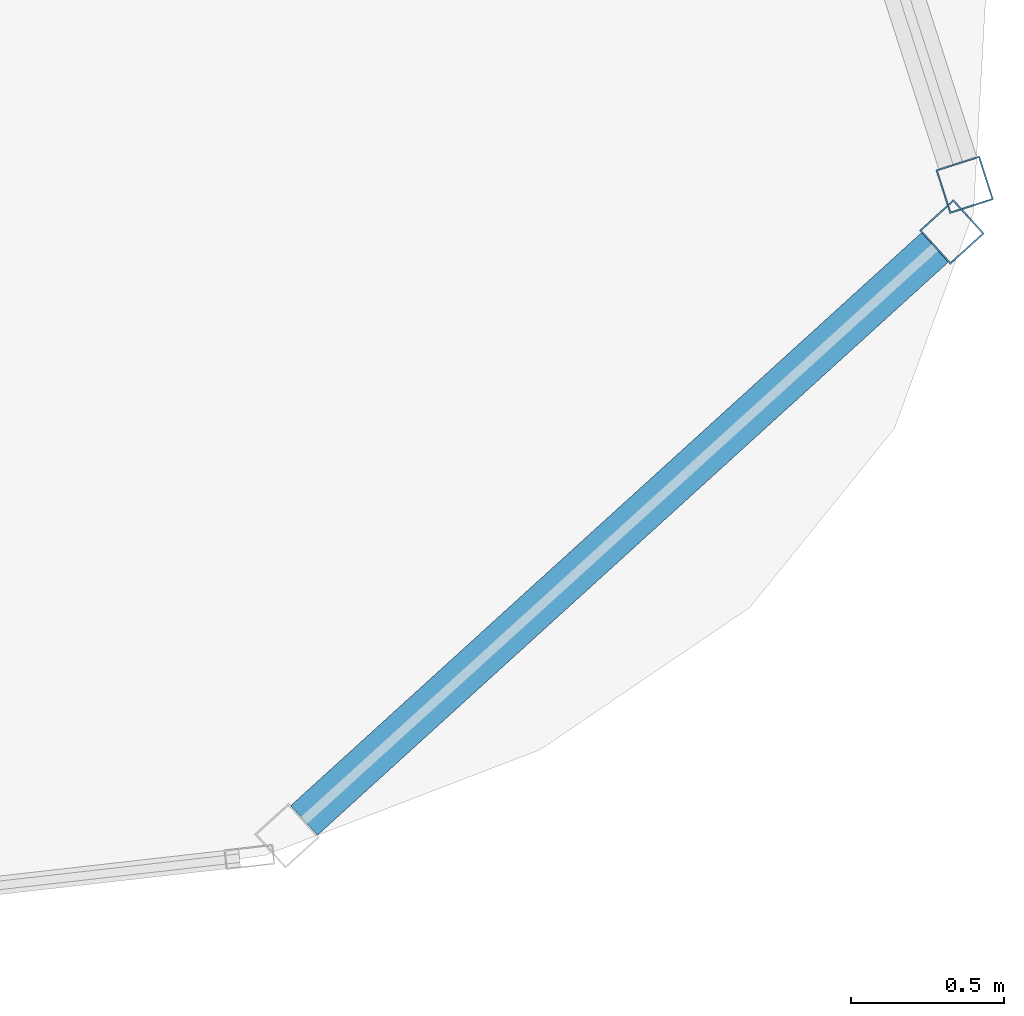
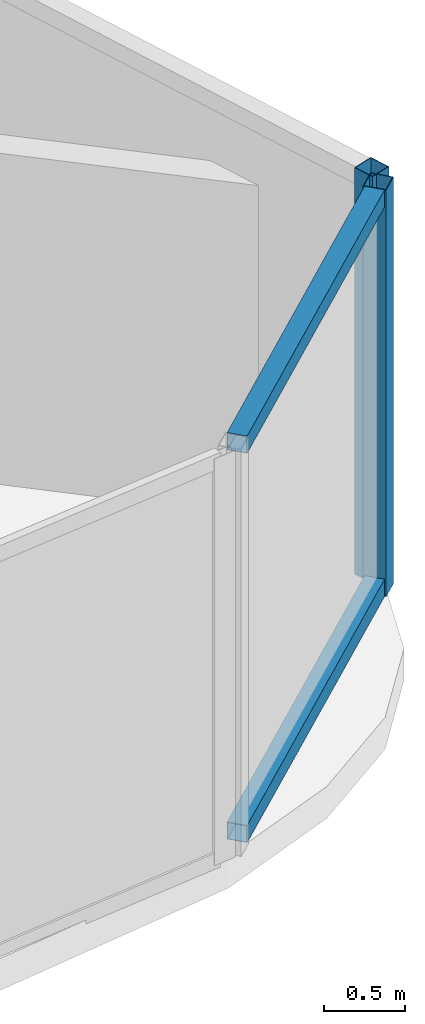
# One storey, part 15 of 30: 4 members, 2 elements without a shape of their own.
"""IFC4 building model written with IfcOpenShell, lengths in metres."""

import ifcopenshell
import ifcopenshell.guid

model = None  # the IFC model being written
_history = None  # IfcOwnerHistory: only IFC2X3 demands one
_inside = {}  # id of a spatial element -> (the spatial element, [elements in it])
_under = {}  # id of a project, library or spatial element -> (it, [spatial elements below it])
_declared = {}  # id of a project -> (the project, [libraries it declares])
_typed = {}  # id of a type object -> (the type object, [elements of that type])
_made_of = {}  # id of a material, layer set ... -> (it, [elements and type objects made of it])


def new_model(schema):
    """Start an empty IFC model of exactly this schema.

    Asked for "IFC4X3", IfcOpenShell would pick the latest addendum, in which some entities
    have other attributes; the version numbers below select the first issue.
    IFC2X3 requires an IfcOwnerHistory on every rooted entity: one is made here for all.
    """
    global model, _history
    if schema == "IFC4X3":
        model = ifcopenshell.file(schema_version=(4, 3, 0, 0))
    else:
        model = ifcopenshell.file(schema=schema)
    _inside.clear()
    _under.clear()
    _declared.clear()
    _typed.clear()
    _made_of.clear()
    _history = None
    if model.schema == "IFC2X3":
        org = make("IfcOrganization", Name="unknown")
        user = make(
            "IfcPersonAndOrganization",
            ThePerson=make("IfcPerson", FamilyName="unknown"),
            TheOrganization=org,
        )
        app = make(
            "IfcApplication",
            ApplicationDeveloper=org,
            Version="unknown",
            ApplicationFullName="unknown",
            ApplicationIdentifier="unknown",
        )
        _history = make(
            "IfcOwnerHistory",
            OwningUser=user,
            OwningApplication=app,
            ChangeAction="ADDED",
            CreationDate=0,
        )
    return model


def make(cls, **values):
    """One entity of the class cls with the attributes given. An attribute that is None is left unset."""
    return model.create_entity(
        cls, **{name: value for name, value in values.items() if value is not None}
    )


def rooted(cls, **values):
    """An entity with a GlobalId (a new one), such as an element, a storey or a relation."""
    return make(cls, GlobalId=ifcopenshell.guid.new(), OwnerHistory=_history, **values)


def si_unit(unit_type, name, prefix=None):
    """IfcSIUnit, for example si_unit("LENGTHUNIT", "METRE", prefix="MILLI")."""
    return make("IfcSIUnit", UnitType=unit_type, Prefix=prefix, Name=name)


def assignment(units):
    """IfcUnitAssignment: the units of a project."""
    return None if units is None else make("IfcUnitAssignment", Units=units)


def point(xyz):
    """IfcCartesianPoint."""
    return None if xyz is None else make("IfcCartesianPoint", Coordinates=xyz)


def direction(xyz):
    """IfcDirection."""
    return None if xyz is None else make("IfcDirection", DirectionRatios=xyz)


def frame(location, z_axis=None, x_axis=None):
    """IfcAxis2Placement3D, a coordinate frame: its origin and axes. An axis left out is left unset."""
    return make(
        "IfcAxis2Placement3D",
        Location=point(location),
        Axis=direction(z_axis),
        RefDirection=direction(x_axis),
    )


def frame_2d(location, x_axis=None):
    """IfcAxis2Placement2D, a coordinate frame in the plane: its origin and x axis."""
    return make(
        "IfcAxis2Placement2D", Location=point(location), RefDirection=direction(x_axis)
    )


def origin():
    """The frame at (0, 0, 0) with its axes left unset."""
    return frame((0.0, 0.0, 0.0))


def origin_2d():
    """The frame at (0, 0) in the plane with its x axis left unset."""
    return frame_2d((0.0, 0.0))


def place(relative_to, where):
    """IfcLocalPlacement: puts the frame where relative to a parent placement (None: the world)."""
    return make(
        "IfcLocalPlacement", PlacementRelTo=relative_to, RelativePlacement=where
    )


def context(
    kind, dimensions, precision=None, world=None, true_north=None, identifier=None
):
    """IfcGeometricRepresentationContext, for example the 3D "Model" context."""
    return make(
        "IfcGeometricRepresentationContext",
        ContextIdentifier=identifier,
        ContextType=kind,
        CoordinateSpaceDimension=dimensions,
        Precision=precision,
        WorldCoordinateSystem=world,
        TrueNorth=true_north,
    )


def subcontext(parent, identifier, kind, view, scale=None):
    """IfcGeometricRepresentationSubContext, for example "Body" below "Model"."""
    return make(
        "IfcGeometricRepresentationSubContext",
        ContextIdentifier=identifier,
        ContextType=kind,
        ParentContext=parent,
        TargetScale=scale,
        TargetView=view,
    )


def project(units=None, contexts=None):
    """IfcProject with its units and contexts."""
    return rooted(
        "IfcProject",
        Name="project",
        RepresentationContexts=contexts,
        UnitsInContext=assignment(units),
    )


def spatial(cls, under=None, at=None, **own):
    """A site, building, storey or space (cls), placed at a placement, below another one or the project."""
    s = rooted(cls, ObjectPlacement=at, **own)
    if under is not None:
        _under.setdefault(under.id(), (under, []))[1].append(s)
    return s


def profile(cls, at=None, kind="AREA", **sizes):
    """A parametric profile (cls). Its sizes go by their IFC names, for example OverallWidth=200.0."""
    return make(cls, ProfileType=kind, Position=at, **sizes)


def hollow_rectangle(**sizes):
    """IfcRectangleHollowProfileDef."""
    return profile("IfcRectangleHollowProfileDef", **sizes)


def extrude(swept, where, along, depth):
    """IfcExtrudedAreaSolid: the profile swept, set in the frame where, extruded along a direction by depth."""
    return make(
        "IfcExtrudedAreaSolid",
        SweptArea=swept,
        Position=where,
        ExtrudedDirection=direction(along),
        Depth=depth,
    )


def shape(context_of_items, identifier, shape_type, items):
    """IfcShapeRepresentation: the items that make up one representation, for example the "Body"."""
    return make(
        "IfcShapeRepresentation",
        ContextOfItems=context_of_items,
        RepresentationIdentifier=identifier,
        RepresentationType=shape_type,
        Items=items,
    )


def material(Name=None, Category=None):
    """IfcMaterial."""
    return make("IfcMaterial", Name=Name, Category=Category)


def layer(
    of_material, thickness, ventilated=None, Name=None, Category=None, Priority=None
):
    """IfcMaterialLayer: one layer of a wall or slab, of a material (None: an air gap)."""
    return make(
        "IfcMaterialLayer",
        Material=of_material,
        LayerThickness=thickness,
        IsVentilated=ventilated,
        Name=Name,
        Category=Category,
        Priority=Priority,
    )


def layer_set(layers, Name=None):
    """IfcMaterialLayerSet."""
    return make("IfcMaterialLayerSet", MaterialLayers=layers, LayerSetName=Name)


def material_profile(
    of_material, cross_section, Name=None, Category=None, Priority=None
):
    """IfcMaterialProfile: a cross section and its material."""
    return make(
        "IfcMaterialProfile",
        Name=Name,
        Material=of_material,
        Profile=cross_section,
        Priority=Priority,
        Category=Category,
    )


def profile_set(profiles, Name=None, composite=None):
    """IfcMaterialProfileSet."""
    return make(
        "IfcMaterialProfileSet",
        Name=Name,
        MaterialProfiles=profiles,
        CompositeProfile=composite,
    )


def made_of(thing, what):
    """Note that an element or type object is made of a material, layer set ...; save() writes the relation."""
    if what is not None:
        _made_of.setdefault(what.id(), (what, []))[1].append(thing)
    return thing


def type_object(cls, material=None, **own):
    """A type object (cls), such as IfcWallType, which elements share."""
    return made_of(rooted(cls, **own), material)


def element(
    cls,
    number,
    at=None,
    inside=None,
    cuts=None,
    type_object=None,
    material=None,
    context=None,
    identifier="Body",
    shape_type=None,
    held_by="IfcProductDefinitionShape",
    body=None,
    shapes=None,
    **own,
):
    """One element of the class cls, such as IfcWall. Its Tag is "e" and its number.

    at: its placement. inside: the storey or other place that contains it. cuts: it is an
    opening in that element (IfcRelVoidsElement). A single representation is given by context,
    identifier, shape_type and body (its items); several are given by shapes. held_by: the class
    of the entity that holds the representations. save() writes the other relations.
    """
    e = rooted(cls, Tag="e%d" % number, ObjectPlacement=at, **own)
    if body is not None:
        shapes = [shape(context, identifier, shape_type, body)]
    if shapes is not None:
        e.Representation = make(held_by, Representations=shapes)
    if inside is not None:
        _inside.setdefault(inside.id(), (inside, []))[1].append(e)
    if cuts is not None:
        rooted(
            "IfcRelVoidsElement", RelatingBuildingElement=cuts, RelatedOpeningElement=e
        )
    if type_object is not None:
        _typed.setdefault(type_object.id(), (type_object, []))[1].append(e)
    return made_of(e, material)


def aggregate(whole, parts):
    """IfcRelAggregates: a whole, such as a stair, and the parts it consists of."""
    return rooted("IfcRelAggregates", RelatingObject=whole, RelatedObjects=parts)


def save(model, path):
    """Write the relations noted so far, then the file.

    IfcRelAggregates (storeys below a building ...), IfcRelContainedInSpatialStructure (elements
    in a storey), IfcRelDefinesByType, IfcRelAssociatesMaterial and IfcRelDeclares: one each for
    every whole, place, type object, material and project.
    """
    for whole, parts in _under.values():
        aggregate(whole, parts)
    for where, things in _inside.values():
        rooted(
            "IfcRelContainedInSpatialStructure",
            RelatedElements=things,
            RelatingStructure=where,
        )
    for kind, things in _typed.values():
        rooted("IfcRelDefinesByType", RelatedObjects=things, RelatingType=kind)
    for what, things in _made_of.values():
        rooted("IfcRelAssociatesMaterial", RelatedObjects=things, RelatingMaterial=what)
    for by, libraries in _declared.values():
        rooted("IfcRelDeclares", RelatingContext=by, RelatedDefinitions=libraries)
    model.write(path)


model = new_model("IFC4")

# Units and contexts
model_context = context("Model", 3, precision=1e-05, world=origin(), true_north=direction((0.0, 1.0)))
body_context = subcontext(model_context, "Body", "Model", "MODEL_VIEW")
ifc_project = project(units=[si_unit("LENGTHUNIT", "METRE"), si_unit("AREAUNIT", "SQUARE_METRE"), si_unit("VOLUMEUNIT", "CUBIC_METRE"), si_unit("PLANEANGLEUNIT", "RADIAN"), si_unit("MASSUNIT", "GRAM", prefix="KILO")], contexts=[model_context])

# Site, building, storey
site_placement = place(None, origin())
site = spatial("IfcSite", under=ifc_project, at=site_placement, CompositionType="ELEMENT")
building_placement = place(site_placement, origin())
building = spatial("IfcBuilding", under=site, at=building_placement, Name="Orvanel Arch Residences", CompositionType="ELEMENT")
storey_placement = place(building_placement, frame((0.0, 0.0, 229.39990234375)))
storey = spatial("IfcBuildingStorey", under=building, at=storey_placement, Name="L65", CompositionType="ELEMENT", Elevation=229.39990234375)

# Curtain wall, member
ifc_material = material(Name="Bronze-anodised aluminium AA6063-T6", Category="aluminium")
ifc_layer = layer(ifc_material, 0.18994140625)
ifc_layer_set = layer_set([ifc_layer], Name="Bronze-anodised aluminium AA6063-T6")
curtain_wall_type = type_object("IfcCurtainWallType", Name="CW5-CRN-SYS", PredefinedType="NOTDEFINED", material=ifc_layer_set)
curtain_wall_1_placement = place(storey_placement, origin())
curtain_wall_1 = element("IfcCurtainWall", 1, at=curtain_wall_1_placement, inside=storey, type_object=curtain_wall_type, Name="L65 CW5-CRN-SYS Unitised Curtain Wall", PredefinedType="NOTDEFINED")
ifc_material_profile_1 = material_profile(ifc_material, hollow_rectangle(XDim=0.14990234375, YDim=0.14990234375, WallThickness=0.0048828125, at=origin_2d()), Name="ALU150x150x5")
ifc_profile_set_1 = profile_set([ifc_material_profile_1], Name="Bronze-anodised aluminium AA6063-T6")
member_type_1 = type_object("IfcMemberType", Name="MUL-150x150", PredefinedType="MULLION", material=ifc_profile_set_1)
member_1_placement = place(storey_placement, frame((55.81640625, 8.79248046875, 0.0), z_axis=(0.0, 0.0, 1.0), x_axis=(-0.672365707037, 0.740219127016, 0.0)))
member_1 = element("IfcMember", 2, at=member_1_placement, type_object=member_type_1, Name="CW-S5 mullion 2", PredefinedType="MULLION", context=body_context, shape_type="SweptSolid", body=[
    extrude(hollow_rectangle(XDim=0.14990234375, YDim=0.14990234375, WallThickness=0.0048828125, at=origin_2d()), origin(), (0.0, 0.0, 1.0), 3.06005859375),
])

curtain_wall_2_placement = place(storey_placement, origin())
curtain_wall_2 = element("IfcCurtainWall", 3, at=curtain_wall_2_placement, inside=storey, type_object=curtain_wall_type, Name="L65 CW5-CRN-SYS Unitised Curtain Wall", PredefinedType="NOTDEFINED")
member_2_placement = place(storey_placement, frame((55.858154296875, 8.946533203125, 0.0), z_axis=(0.0, 0.0, 1.0), x_axis=(-0.952168522204, -0.305573404151, 0.0)))
member_2 = element("IfcMember", 4, at=member_2_placement, type_object=member_type_1, Name="CW-S5 mullion 1", PredefinedType="MULLION", context=body_context, shape_type="SweptSolid", body=[
    extrude(hollow_rectangle(XDim=0.14990234375, YDim=0.14990234375, WallThickness=0.0048828125, at=origin_2d()), origin(), (0.0, 0.0, 1.0), 3.06005859375),
])
aggregate(curtain_wall_2, [member_2])

# Member
ifc_material_profile_2 = material_profile(ifc_material, hollow_rectangle(XDim=0.1298828125, YDim=0.1298828125, WallThickness=0.00439453125, at=origin_2d()), Name="ALU130x130x4.5")
ifc_profile_set_2 = profile_set([ifc_material_profile_2], Name="Bronze-anodised aluminium AA6063-T6")
member_type_2 = type_object("IfcMemberType", Name="TRN-130x130", PredefinedType="USERDEFINED", material=ifc_profile_set_2)
member_3_placement = place(storey_placement, frame((53.703125, 6.872802734375, 0.065185546875), z_axis=(0.74019035374, 0.672397382677, 0.0), x_axis=(-0.672397382677, 0.74019035374, 0.0)))
member_3 = element("IfcMember", 5, at=member_3_placement, type_object=member_type_2, Name="CW-S5 transom 1.1", ObjectType="TRANSOM", PredefinedType="USERDEFINED", context=body_context, shape_type="SweptSolid", body=[
    extrude(hollow_rectangle(XDim=0.1298828125, YDim=0.1298828125, WallThickness=0.00439453125, at=origin_2d()), origin(), (0.0, 0.0, 1.0), 2.7802734375),
])

member_4_placement = place(storey_placement, frame((53.703125, 6.872802734375, 2.9951171875), z_axis=(0.74019035374, 0.672397382677, 0.0), x_axis=(-0.672397382677, 0.74019035374, 0.0)))
member_4 = element("IfcMember", 6, at=member_4_placement, type_object=member_type_2, Name="CW-S5 transom 1.2", ObjectType="TRANSOM", PredefinedType="USERDEFINED", context=body_context, shape_type="SweptSolid", body=[
    extrude(hollow_rectangle(XDim=0.1298828125, YDim=0.1298828125, WallThickness=0.00439453125, at=origin_2d()), origin(), (0.0, 0.0, 1.0), 2.7802734375),
])

aggregate(curtain_wall_1, [member_1, member_3, member_4])

save(model, "model.ifc")
